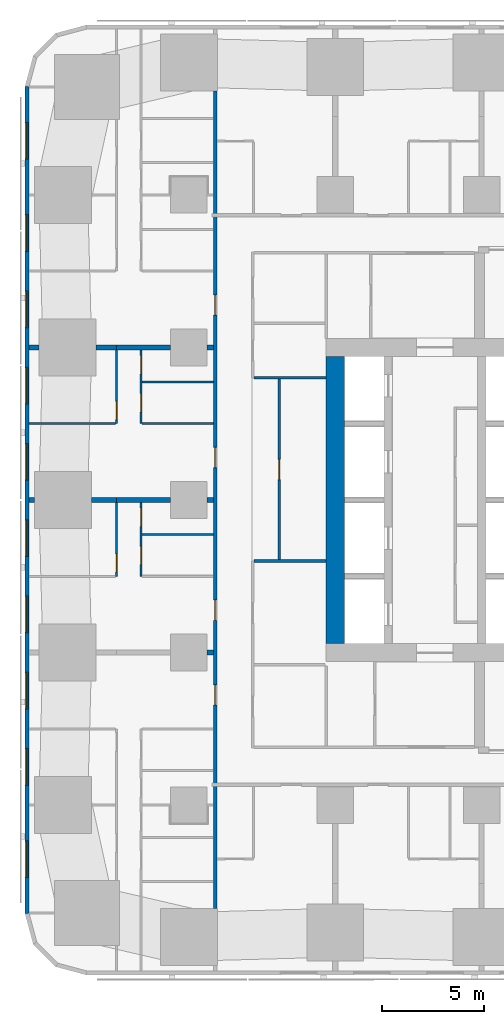
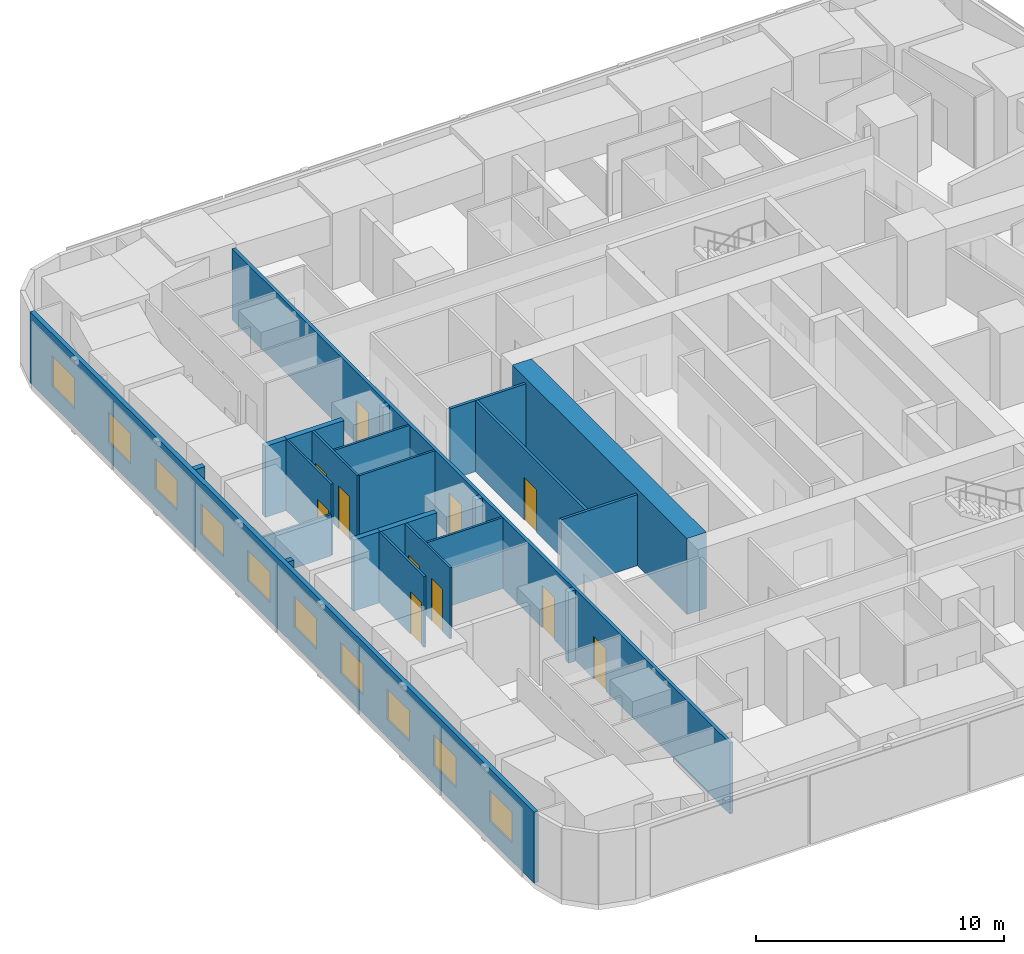
# One storey, part 4 of 15: 23 walls, 11 doors, 10 windows, 21 openings.
"""IFC4 building model written with IfcOpenShell, lengths in metres."""

from ifc_helpers import new_model, si_unit, direction, frame, frame_2d, origin, place, context, subcontext, project, spatial, rectangle, extrude, material, layer, layer_set, type_object, element, fill, save


model = new_model("IFC4")

# Units and contexts
model_context = context("Model", 3, precision=1e-05, world=origin(), true_north=direction((0.0, 1.0)))
body_context = subcontext(model_context, "Body", "Model", "MODEL_VIEW")
ifc_project = project(units=[si_unit("LENGTHUNIT", "METRE"), si_unit("AREAUNIT", "SQUARE_METRE"), si_unit("VOLUMEUNIT", "CUBIC_METRE"), si_unit("PLANEANGLEUNIT", "RADIAN"), si_unit("MASSUNIT", "GRAM", prefix="KILO")], contexts=[model_context])

# Site, building, storey
site_placement = place(None, origin())
site = spatial("IfcSite", under=ifc_project, at=site_placement, CompositionType="ELEMENT")
building_placement = place(site_placement, origin())
building = spatial("IfcBuilding", under=site, at=building_placement, Name="Sheger Commons Tower", CompositionType="ELEMENT")
storey_placement = place(building_placement, frame((0.0, 0.0, 42.5)))
storey = spatial("IfcBuildingStorey", under=building, at=storey_placement, Name="L10", CompositionType="ELEMENT", Elevation=42.5)

# Wall
ifc_material_1 = material(Name="Concrete C50/60", Category="concrete")
ifc_layer_1 = layer(ifc_material_1, 0.89990234375)
ifc_layer_set_1 = layer_set([ifc_layer_1], Name="CORE WALL 900")
wall_type_1 = type_object("IfcWallType", Name="CORE WALL 900", PredefinedType="SHEAR", material=ifc_layer_set_1)
wall_1_placement = place(storey_placement, frame((14.39990234375, 15.449951171875, 0.0), z_axis=(0.0, 0.0, 1.0), x_axis=(0.0, 1.0, 0.0)))
element("IfcWall", 1, at=wall_1_placement, inside=storey, type_object=wall_type_1, Name="Core wall west L10", PredefinedType="SHEAR", context=body_context, shape_type="SweptSolid", body=[
    extrude(rectangle(XDim=14.10009765625, YDim=0.89990234375, at=frame_2d((7.050048828125, 0.0))), origin(), (0.0, 0.0, 1.0), 3.75),
])

# Wall, openings, doors
ifc_material_2 = material(Name="Hollow concrete block masonry, skimmed both sides", Category="masonry")
ifc_layer_2 = layer(ifc_material_2, 0.14990234375)
ifc_layer_set_2 = layer_set([ifc_layer_2], Name="CORRIDOR WALL 150")
wall_type_2 = type_object("IfcWallType", Name="CORRIDOR WALL 150", PredefinedType="SOLIDWALL", material=ifc_layer_set_2)
wall_2_placement = place(storey_placement, frame((8.5, 2.426025390625, 0.0), z_axis=(0.0, 0.0, 1.0), x_axis=(0.0, 1.0, 0.0)))
wall_2 = element("IfcWall", 2, at=wall_2_placement, inside=storey, type_object=wall_type_2, Name="Corridor wall L10", PredefinedType="SOLIDWALL", context=body_context, shape_type="SweptSolid", body=[
    extrude(rectangle(XDim=40.173095703125, YDim=0.14990234375, at=frame_2d((20.08642578125, 0.0))), origin(), (0.0, 0.0, 1.0), 3.5),
])
opening_1_placement = place(wall_2_placement, frame((9.986083984375, 0.0, 0.0)))
opening_1 = element("IfcOpeningElement", 3, at=opening_1_placement, cuts=wall_2, Name="Opening D1", PredefinedType="OPENING", context=body_context, shape_type="SweptSolid", body=[
    extrude(rectangle(XDim=1.0, YDim=2.10009765625, at=frame_2d((0.5, 1.050048828125))), frame((0.0, 0.0849609375, 0.0), z_axis=(0.0, -1.0, 0.0), x_axis=(1.0, 0.0, 0.0)), (0.0, 0.0, 1.0), 0.169921875),
])
opening_2_placement = place(wall_2_placement, frame((14.160888671875, 0.0, 0.0)))
opening_2 = element("IfcOpeningElement", 4, at=opening_2_placement, cuts=wall_2, Name="Opening D1", PredefinedType="OPENING", context=body_context, shape_type="SweptSolid", body=[
    extrude(rectangle(XDim=1.0, YDim=2.10009765625, at=frame_2d((0.5, 1.050048828125))), frame((0.0, 0.0849609375, 0.0), z_axis=(0.0, -1.0, 0.0), x_axis=(1.0, 0.0, 0.0)), (0.0, 0.0, 1.0), 0.169921875),
])
opening_3_placement = place(wall_2_placement, frame((21.662109375, 0.0, 0.0)))
opening_3 = element("IfcOpeningElement", 5, at=opening_3_placement, cuts=wall_2, Name="Opening D1", PredefinedType="OPENING", context=body_context, shape_type="SweptSolid", body=[
    extrude(rectangle(XDim=1.0, YDim=2.10009765625, at=frame_2d((0.5, 1.050048828125))), frame((0.0, 0.0849609375, 0.0), z_axis=(0.0, -1.0, 0.0), x_axis=(1.0, 0.0, 0.0)), (0.0, 0.0, 1.0), 0.169921875),
])
opening_4_placement = place(wall_2_placement, frame((29.160888671875, 0.0, 0.0)))
opening_4 = element("IfcOpeningElement", 6, at=opening_4_placement, cuts=wall_2, Name="Opening D1", PredefinedType="OPENING", context=body_context, shape_type="SweptSolid", body=[
    extrude(rectangle(XDim=1.0, YDim=2.10009765625, at=frame_2d((0.5, 1.050048828125))), frame((0.0, 0.0849609375, 0.0), z_axis=(0.0, -1.0, 0.0), x_axis=(1.0, 0.0, 0.0)), (0.0, 0.0, 1.0), 0.169921875),
])
ifc_material_3 = material(Name="Steel door set, fire rated", Category="steel")
door_type_1 = type_object("IfcDoorType", Name="FLAT ENTRANCE DOOR 1000x2100", OperationType="NOTDEFINED", PredefinedType="DOOR", material=ifc_material_3)
door_1_placement = place(opening_1_placement, origin())
door_1 = element("IfcDoor", 7, at=door_1_placement, inside=storey, type_object=door_type_1, Name="Flat entrance door", OperationType="SINGLE_SWING_LEFT", OverallHeight=2.10009765625, OverallWidth=1.0, PredefinedType="DOOR", context=body_context, shape_type="SweptSolid", body=[
    extrude(rectangle(XDim=1.0, YDim=2.10009765625, at=frame_2d((0.5, 1.050048828125))), frame((0.0, 0.02490234375, 0.0), z_axis=(0.0, -1.0, 0.0), x_axis=(1.0, 0.0, 0.0)), (0.0, 0.0, 1.0), 0.050048828125),
])
fill(opening_1, door_1)
door_2_placement = place(opening_2_placement, origin())
door_2 = element("IfcDoor", 8, at=door_2_placement, inside=storey, type_object=door_type_1, Name="Flat entrance door", OperationType="SINGLE_SWING_RIGHT", OverallHeight=2.10009765625, OverallWidth=1.0, PredefinedType="DOOR", context=body_context, shape_type="SweptSolid", body=[
    extrude(rectangle(XDim=1.0, YDim=2.10009765625, at=frame_2d((0.5, 1.050048828125))), frame((0.0, 0.02490234375, 0.0), z_axis=(0.0, -1.0, 0.0), x_axis=(1.0, 0.0, 0.0)), (0.0, 0.0, 1.0), 0.050048828125),
])
fill(opening_2, door_2)
door_3_placement = place(opening_3_placement, origin())
door_3 = element("IfcDoor", 9, at=door_3_placement, inside=storey, type_object=door_type_1, Name="Flat entrance door", OperationType="SINGLE_SWING_RIGHT", OverallHeight=2.10009765625, OverallWidth=1.0, PredefinedType="DOOR", context=body_context, shape_type="SweptSolid", body=[
    extrude(rectangle(XDim=1.0, YDim=2.10009765625, at=frame_2d((0.5, 1.050048828125))), frame((0.0, 0.02490234375, 0.0), z_axis=(0.0, -1.0, 0.0), x_axis=(1.0, 0.0, 0.0)), (0.0, 0.0, 1.0), 0.050048828125),
])
fill(opening_3, door_3)
door_4_placement = place(opening_4_placement, origin())
door_4 = element("IfcDoor", 10, at=door_4_placement, inside=storey, type_object=door_type_1, Name="Flat entrance door", OperationType="SINGLE_SWING_RIGHT", OverallHeight=2.10009765625, OverallWidth=1.0, PredefinedType="DOOR", context=body_context, shape_type="SweptSolid", body=[
    extrude(rectangle(XDim=1.0, YDim=2.10009765625, at=frame_2d((0.5, 1.050048828125))), frame((0.0, 0.02490234375, 0.0), z_axis=(0.0, -1.0, 0.0), x_axis=(1.0, 0.0, 0.0)), (0.0, 0.0, 1.0), 0.050048828125),
])
fill(opening_4, door_4)

# Walls
ifc_material_4 = material(Name="Dense concrete block masonry, plastered both sides (separating wall between flats)", Category="masonry")
ifc_layer_3 = layer(ifc_material_4, 0.25)
ifc_layer_set_3 = layer_set([ifc_layer_3], Name="DEMISING WALL 250")
wall_type_3 = type_object("IfcWallType", Name="DEMISING WALL 250", PredefinedType="SOLIDWALL", material=ifc_layer_set_3)
wall_3_placement = place(storey_placement, frame((8.10107421875, 15.0, 0.0), z_axis=(0.0, 0.0, 1.0), x_axis=(1.0, 0.0, 0.0)))
element("IfcWall", 11, at=wall_3_placement, inside=storey, type_object=wall_type_3, Name="Demising wall L10", PredefinedType="SOLIDWALL", context=body_context, shape_type="SweptSolid", body=[
    extrude(rectangle(XDim=0.323974609375, YDim=0.25, at=frame_2d((0.162109375, 0.0))), origin(), (0.0, 0.0, 1.0), 3.5),
])
wall_4_placement = place(storey_placement, frame((-0.64990234375, 22.5, 0.0), z_axis=(0.0, 0.0, 1.0), x_axis=(1.0, 0.0, 0.0)))
element("IfcWall", 12, at=wall_4_placement, inside=storey, type_object=wall_type_3, Name="Demising wall L10", PredefinedType="SOLIDWALL", context=body_context, shape_type="SweptSolid", body=[
    extrude(rectangle(XDim=0.27392578125, YDim=0.25, at=frame_2d((0.136962890625, 0.0))), origin(), (0.0, 0.0, 1.0), 3.5),
])
wall_5_placement = place(storey_placement, frame((2.426025390625, 22.5, 0.0), z_axis=(0.0, 0.0, 1.0), x_axis=(1.0, 0.0, 0.0)))
element("IfcWall", 13, at=wall_5_placement, inside=storey, type_object=wall_type_3, Name="Demising wall L10", PredefinedType="SOLIDWALL", context=body_context, shape_type="SweptSolid", body=[
    extrude(rectangle(XDim=1.223876953125, YDim=0.25, at=frame_2d((0.61181640625, 0.0))), origin(), (0.0, 0.0, 1.0), 3.5),
])
wall_6_placement = place(storey_placement, frame((3.64990234375, 22.5, 0.0), z_axis=(0.0, 0.0, 1.0), x_axis=(1.0, 0.0, 0.0)))
element("IfcWall", 14, at=wall_6_placement, inside=storey, type_object=wall_type_3, Name="Demising wall L10", PredefinedType="SOLIDWALL", context=body_context, shape_type="SweptSolid", body=[
    extrude(rectangle(XDim=2.649169921875, YDim=0.25, at=frame_2d((1.32470703125, 0.0))), origin(), (0.0, 0.0, 1.0), 3.5),
])
wall_7_placement = place(storey_placement, frame((8.10107421875, 22.5, 0.0), z_axis=(0.0, 0.0, 1.0), x_axis=(1.0, 0.0, 0.0)))
element("IfcWall", 15, at=wall_7_placement, inside=storey, type_object=wall_type_3, Name="Demising wall L10", PredefinedType="SOLIDWALL", context=body_context, shape_type="SweptSolid", body=[
    extrude(rectangle(XDim=0.323974609375, YDim=0.25, at=frame_2d((0.162109375, 0.0))), origin(), (0.0, 0.0, 1.0), 3.5),
])
wall_8_placement = place(storey_placement, frame((-0.64990234375, 30.0, 0.0), z_axis=(0.0, 0.0, 1.0), x_axis=(1.0, 0.0, 0.0)))
element("IfcWall", 16, at=wall_8_placement, inside=storey, type_object=wall_type_3, Name="Demising wall L10", PredefinedType="SOLIDWALL", context=body_context, shape_type="SweptSolid", body=[
    extrude(rectangle(XDim=0.473876953125, YDim=0.25, at=frame_2d((0.23681640625, 0.0))), origin(), (0.0, 0.0, 1.0), 3.5),
])
wall_9_placement = place(storey_placement, frame((2.6259765625, 30.0, 0.0), z_axis=(0.0, 0.0, 1.0), x_axis=(1.0, 0.0, 0.0)))
element("IfcWall", 17, at=wall_9_placement, inside=storey, type_object=wall_type_3, Name="Demising wall L10", PredefinedType="SOLIDWALL", context=body_context, shape_type="SweptSolid", body=[
    extrude(rectangle(XDim=1.02392578125, YDim=0.25, at=frame_2d((0.511962890625, 0.0))), origin(), (0.0, 0.0, 1.0), 3.5),
])
wall_10_placement = place(storey_placement, frame((3.64990234375, 30.0, 0.0), z_axis=(0.0, 0.0, 1.0), x_axis=(1.0, 0.0, 0.0)))
element("IfcWall", 18, at=wall_10_placement, inside=storey, type_object=wall_type_3, Name="Demising wall L10", PredefinedType="SOLIDWALL", context=body_context, shape_type="SweptSolid", body=[
    extrude(rectangle(XDim=2.649169921875, YDim=0.25, at=frame_2d((1.32470703125, 0.0))), origin(), (0.0, 0.0, 1.0), 3.5),
])
wall_11_placement = place(storey_placement, frame((8.10107421875, 30.0, 0.0), z_axis=(0.0, 0.0, 1.0), x_axis=(1.0, 0.0, 0.0)))
element("IfcWall", 19, at=wall_11_placement, inside=storey, type_object=wall_type_3, Name="Demising wall L10", PredefinedType="SOLIDWALL", context=body_context, shape_type="SweptSolid", body=[
    extrude(rectangle(XDim=0.323974609375, YDim=0.25, at=frame_2d((0.162109375, 0.0))), origin(), (0.0, 0.0, 1.0), 3.5),
])

# Wall, openings, windows
ifc_material_5 = material(Name="Rendered concrete block masonry, dark grey", Category="masonry")
ifc_layer_4 = layer(ifc_material_5, 0.199951171875)
ifc_layer_set_4 = layer_set([ifc_layer_4], Name="FACADE WALL 200")
wall_type_4 = type_object("IfcWallType", Name="FACADE WALL 200", PredefinedType="SOLIDWALL", material=ifc_layer_set_4)
wall_12_placement = place(storey_placement, frame((-0.75, 42.8369140625, 0.0), z_axis=(0.0, 0.0, 1.0), x_axis=(0.0, -1.0, 0.0)))
wall_12 = element("IfcWall", 20, at=wall_12_placement, inside=storey, type_object=wall_type_4, Name="Facade wall L10", PredefinedType="SOLIDWALL", context=body_context, shape_type="SweptSolid", body=[
    extrude(rectangle(XDim=40.673828125, YDim=0.199951171875, at=frame_2d((20.3369140625, 0.0))), origin(), (0.0, 0.0, 1.0), 3.5),
])
opening_5_placement = place(wall_12_placement, frame((1.780029296875, 0.0, 0.89990234375)))
opening_5 = element("IfcOpeningElement", 21, at=opening_5_placement, cuts=wall_12, Name="Opening W2", PredefinedType="OPENING", context=body_context, shape_type="SweptSolid", body=[
    extrude(rectangle(XDim=1.800048828125, YDim=1.5, at=frame_2d((0.89990234375, 0.75))), frame((0.0, 0.10986328125, 0.0), z_axis=(0.0, -1.0, 0.0), x_axis=(1.0, 0.0, 0.0)), (0.0, 0.0, 1.0), 0.219970703125),
])
opening_6_placement = place(wall_12_placement, frame((6.31201171875, 0.0, 0.89990234375)))
opening_6 = element("IfcOpeningElement", 22, at=opening_6_placement, cuts=wall_12, Name="Opening W2", PredefinedType="OPENING", context=body_context, shape_type="SweptSolid", body=[
    extrude(rectangle(XDim=1.800048828125, YDim=1.5, at=frame_2d((0.89990234375, 0.75))), frame((0.0, 0.10986328125, 0.0), z_axis=(0.0, -1.0, 0.0), x_axis=(1.0, 0.0, 0.0)), (0.0, 0.0, 1.0), 0.219970703125),
])
opening_7_placement = place(wall_12_placement, frame((10.06201171875, 0.0, 0.89990234375)))
opening_7 = element("IfcOpeningElement", 23, at=opening_7_placement, cuts=wall_12, Name="Opening W2", PredefinedType="OPENING", context=body_context, shape_type="SweptSolid", body=[
    extrude(rectangle(XDim=1.800048828125, YDim=1.5, at=frame_2d((0.89990234375, 0.75))), frame((0.0, 0.10986328125, 0.0), z_axis=(0.0, -1.0, 0.0), x_axis=(1.0, 0.0, 0.0)), (0.0, 0.0, 1.0), 0.219970703125),
])
opening_8_placement = place(wall_12_placement, frame((13.81201171875, 0.0, 0.89990234375)))
opening_8 = element("IfcOpeningElement", 24, at=opening_8_placement, cuts=wall_12, Name="Opening W2", PredefinedType="OPENING", context=body_context, shape_type="SweptSolid", body=[
    extrude(rectangle(XDim=1.800048828125, YDim=1.5, at=frame_2d((0.89990234375, 0.75))), frame((0.0, 0.10986328125, 0.0), z_axis=(0.0, -1.0, 0.0), x_axis=(1.0, 0.0, 0.0)), (0.0, 0.0, 1.0), 0.219970703125),
])
opening_9_placement = place(wall_12_placement, frame((17.56201171875, 0.0, 0.89990234375)))
opening_9 = element("IfcOpeningElement", 25, at=opening_9_placement, cuts=wall_12, Name="Opening W2", PredefinedType="OPENING", context=body_context, shape_type="SweptSolid", body=[
    extrude(rectangle(XDim=1.800048828125, YDim=1.5, at=frame_2d((0.89990234375, 0.75))), frame((0.0, 0.10986328125, 0.0), z_axis=(0.0, -1.0, 0.0), x_axis=(1.0, 0.0, 0.0)), (0.0, 0.0, 1.0), 0.219970703125),
])
opening_10_placement = place(wall_12_placement, frame((21.31201171875, 0.0, 0.89990234375)))
opening_10 = element("IfcOpeningElement", 26, at=opening_10_placement, cuts=wall_12, Name="Opening W2", PredefinedType="OPENING", context=body_context, shape_type="SweptSolid", body=[
    extrude(rectangle(XDim=1.800048828125, YDim=1.5, at=frame_2d((0.89990234375, 0.75))), frame((0.0, 0.10986328125, 0.0), z_axis=(0.0, -1.0, 0.0), x_axis=(1.0, 0.0, 0.0)), (0.0, 0.0, 1.0), 0.219970703125),
])
opening_11_placement = place(wall_12_placement, frame((25.06201171875, 0.0, 0.89990234375)))
opening_11 = element("IfcOpeningElement", 27, at=opening_11_placement, cuts=wall_12, Name="Opening W2", PredefinedType="OPENING", context=body_context, shape_type="SweptSolid", body=[
    extrude(rectangle(XDim=1.800048828125, YDim=1.5, at=frame_2d((0.89990234375, 0.75))), frame((0.0, 0.10986328125, 0.0), z_axis=(0.0, -1.0, 0.0), x_axis=(1.0, 0.0, 0.0)), (0.0, 0.0, 1.0), 0.219970703125),
])
opening_12_placement = place(wall_12_placement, frame((28.81201171875, 0.0, 0.89990234375)))
opening_12 = element("IfcOpeningElement", 28, at=opening_12_placement, cuts=wall_12, Name="Opening W2", PredefinedType="OPENING", context=body_context, shape_type="SweptSolid", body=[
    extrude(rectangle(XDim=1.800048828125, YDim=1.5, at=frame_2d((0.89990234375, 0.75))), frame((0.0, 0.10986328125, 0.0), z_axis=(0.0, -1.0, 0.0), x_axis=(1.0, 0.0, 0.0)), (0.0, 0.0, 1.0), 0.219970703125),
])
opening_13_placement = place(wall_12_placement, frame((32.56201171875, 0.0, 0.89990234375)))
opening_13 = element("IfcOpeningElement", 29, at=opening_13_placement, cuts=wall_12, Name="Opening W2", PredefinedType="OPENING", context=body_context, shape_type="SweptSolid", body=[
    extrude(rectangle(XDim=1.800048828125, YDim=1.5, at=frame_2d((0.89990234375, 0.75))), frame((0.0, 0.10986328125, 0.0), z_axis=(0.0, -1.0, 0.0), x_axis=(1.0, 0.0, 0.0)), (0.0, 0.0, 1.0), 0.219970703125),
])
opening_14_placement = place(wall_12_placement, frame((37.093994140625, 0.0, 0.89990234375)))
opening_14 = element("IfcOpeningElement", 30, at=opening_14_placement, cuts=wall_12, Name="Opening W2", PredefinedType="OPENING", context=body_context, shape_type="SweptSolid", body=[
    extrude(rectangle(XDim=1.800048828125, YDim=1.5, at=frame_2d((0.89990234375, 0.75))), frame((0.0, 0.10986328125, 0.0), z_axis=(0.0, -1.0, 0.0), x_axis=(1.0, 0.0, 0.0)), (0.0, 0.0, 1.0), 0.219970703125),
])
ifc_material_6 = material(Name="Black aluminium frame, dark tinted double glazing", Category="aluminium")
window_type = type_object("IfcWindowType", Name="WINDOW W2 1800x1500", PartitioningType="SINGLE_PANEL", PredefinedType="WINDOW", material=ifc_material_6)
window_1_placement = place(opening_5_placement, origin())
window_1 = element("IfcWindow", 31, at=window_1_placement, inside=storey, type_object=window_type, Name="Window W2 1800X1500", OverallHeight=1.5, OverallWidth=1.800048828125, PartitioningType="SINGLE_PANEL", PredefinedType="WINDOW", context=body_context, shape_type="SweptSolid", body=[
    extrude(rectangle(XDim=1.800048828125, YDim=1.5, at=frame_2d((0.89990234375, 0.75))), frame((0.0, 0.030029296875, 0.0), z_axis=(0.0, -1.0, 0.0), x_axis=(1.0, 0.0, 0.0)), (0.0, 0.0, 1.0), 0.06005859375),
])
fill(opening_5, window_1)
window_2_placement = place(opening_6_placement, origin())
window_2 = element("IfcWindow", 32, at=window_2_placement, inside=storey, type_object=window_type, Name="Window W2 1800X1500", OverallHeight=1.5, OverallWidth=1.800048828125, PartitioningType="SINGLE_PANEL", PredefinedType="WINDOW", context=body_context, shape_type="SweptSolid", body=[
    extrude(rectangle(XDim=1.800048828125, YDim=1.5, at=frame_2d((0.89990234375, 0.75))), frame((0.0, 0.030029296875, 0.0), z_axis=(0.0, -1.0, 0.0), x_axis=(1.0, 0.0, 0.0)), (0.0, 0.0, 1.0), 0.06005859375),
])
fill(opening_6, window_2)
window_3_placement = place(opening_7_placement, origin())
window_3 = element("IfcWindow", 33, at=window_3_placement, inside=storey, type_object=window_type, Name="Window W2 1800X1500", OverallHeight=1.5, OverallWidth=1.800048828125, PartitioningType="SINGLE_PANEL", PredefinedType="WINDOW", context=body_context, shape_type="SweptSolid", body=[
    extrude(rectangle(XDim=1.800048828125, YDim=1.5, at=frame_2d((0.89990234375, 0.75))), frame((0.0, 0.030029296875, 0.0), z_axis=(0.0, -1.0, 0.0), x_axis=(1.0, 0.0, 0.0)), (0.0, 0.0, 1.0), 0.06005859375),
])
fill(opening_7, window_3)
window_4_placement = place(opening_8_placement, origin())
window_4 = element("IfcWindow", 34, at=window_4_placement, inside=storey, type_object=window_type, Name="Window W2 1800X1500", OverallHeight=1.5, OverallWidth=1.800048828125, PartitioningType="SINGLE_PANEL", PredefinedType="WINDOW", context=body_context, shape_type="SweptSolid", body=[
    extrude(rectangle(XDim=1.800048828125, YDim=1.5, at=frame_2d((0.89990234375, 0.75))), frame((0.0, 0.030029296875, 0.0), z_axis=(0.0, -1.0, 0.0), x_axis=(1.0, 0.0, 0.0)), (0.0, 0.0, 1.0), 0.06005859375),
])
fill(opening_8, window_4)
window_5_placement = place(opening_9_placement, origin())
window_5 = element("IfcWindow", 35, at=window_5_placement, inside=storey, type_object=window_type, Name="Window W2 1800X1500", OverallHeight=1.5, OverallWidth=1.800048828125, PartitioningType="SINGLE_PANEL", PredefinedType="WINDOW", context=body_context, shape_type="SweptSolid", body=[
    extrude(rectangle(XDim=1.800048828125, YDim=1.5, at=frame_2d((0.89990234375, 0.75))), frame((0.0, 0.030029296875, 0.0), z_axis=(0.0, -1.0, 0.0), x_axis=(1.0, 0.0, 0.0)), (0.0, 0.0, 1.0), 0.06005859375),
])
fill(opening_9, window_5)
window_6_placement = place(opening_10_placement, origin())
window_6 = element("IfcWindow", 36, at=window_6_placement, inside=storey, type_object=window_type, Name="Window W2 1800X1500", OverallHeight=1.5, OverallWidth=1.800048828125, PartitioningType="SINGLE_PANEL", PredefinedType="WINDOW", context=body_context, shape_type="SweptSolid", body=[
    extrude(rectangle(XDim=1.800048828125, YDim=1.5, at=frame_2d((0.89990234375, 0.75))), frame((0.0, 0.030029296875, 0.0), z_axis=(0.0, -1.0, 0.0), x_axis=(1.0, 0.0, 0.0)), (0.0, 0.0, 1.0), 0.06005859375),
])
fill(opening_10, window_6)
window_7_placement = place(opening_11_placement, origin())
window_7 = element("IfcWindow", 37, at=window_7_placement, inside=storey, type_object=window_type, Name="Window W2 1800X1500", OverallHeight=1.5, OverallWidth=1.800048828125, PartitioningType="SINGLE_PANEL", PredefinedType="WINDOW", context=body_context, shape_type="SweptSolid", body=[
    extrude(rectangle(XDim=1.800048828125, YDim=1.5, at=frame_2d((0.89990234375, 0.75))), frame((0.0, 0.030029296875, 0.0), z_axis=(0.0, -1.0, 0.0), x_axis=(1.0, 0.0, 0.0)), (0.0, 0.0, 1.0), 0.06005859375),
])
fill(opening_11, window_7)
window_8_placement = place(opening_12_placement, origin())
window_8 = element("IfcWindow", 38, at=window_8_placement, inside=storey, type_object=window_type, Name="Window W2 1800X1500", OverallHeight=1.5, OverallWidth=1.800048828125, PartitioningType="SINGLE_PANEL", PredefinedType="WINDOW", context=body_context, shape_type="SweptSolid", body=[
    extrude(rectangle(XDim=1.800048828125, YDim=1.5, at=frame_2d((0.89990234375, 0.75))), frame((0.0, 0.030029296875, 0.0), z_axis=(0.0, -1.0, 0.0), x_axis=(1.0, 0.0, 0.0)), (0.0, 0.0, 1.0), 0.06005859375),
])
fill(opening_12, window_8)
window_9_placement = place(opening_13_placement, origin())
window_9 = element("IfcWindow", 39, at=window_9_placement, inside=storey, type_object=window_type, Name="Window W2 1800X1500", OverallHeight=1.5, OverallWidth=1.800048828125, PartitioningType="SINGLE_PANEL", PredefinedType="WINDOW", context=body_context, shape_type="SweptSolid", body=[
    extrude(rectangle(XDim=1.800048828125, YDim=1.5, at=frame_2d((0.89990234375, 0.75))), frame((0.0, 0.030029296875, 0.0), z_axis=(0.0, -1.0, 0.0), x_axis=(1.0, 0.0, 0.0)), (0.0, 0.0, 1.0), 0.06005859375),
])
fill(opening_13, window_9)
window_10_placement = place(opening_14_placement, origin())
window_10 = element("IfcWindow", 40, at=window_10_placement, inside=storey, type_object=window_type, Name="Window W2 1800X1500", OverallHeight=1.5, OverallWidth=1.800048828125, PartitioningType="SINGLE_PANEL", PredefinedType="WINDOW", context=body_context, shape_type="SweptSolid", body=[
    extrude(rectangle(XDim=1.800048828125, YDim=1.5, at=frame_2d((0.89990234375, 0.75))), frame((0.0, 0.030029296875, 0.0), z_axis=(0.0, -1.0, 0.0), x_axis=(1.0, 0.0, 0.0)), (0.0, 0.0, 1.0), 0.06005859375),
])
fill(opening_14, window_10)

# Wall, opening, door
ifc_material_7 = material(Name="Gypsum board on steel studs", Category="steel")
ifc_layer_5 = layer(ifc_material_7, 0.10009765625)
ifc_layer_set_5 = layer_set([ifc_layer_5], Name="PARTITION 100")
wall_type_5 = type_object("IfcWallType", Name="PARTITION 100", PredefinedType="PARTITIONING", material=ifc_layer_set_5)
wall_13_placement = place(storey_placement, frame((3.64990234375, 18.75, 0.0), z_axis=(0.0, 0.0, 1.0), x_axis=(0.0, 1.0, 0.0)))
wall_13 = element("IfcWall", 41, at=wall_13_placement, inside=storey, type_object=wall_type_5, Name="Partition L10", PredefinedType="PARTITIONING", context=body_context, shape_type="SweptSolid", body=[
    extrude(rectangle(XDim=3.625, YDim=0.10009765625, at=frame_2d((1.8125, 0.0))), origin(), (0.0, 0.0, 1.0), 3.5),
])
opening_15_placement = place(wall_13_placement, frame((0.199951171875, 0.0, 0.0)))
opening_15 = element("IfcOpeningElement", 42, at=opening_15_placement, cuts=wall_13, Name="Opening D2", PredefinedType="OPENING", context=body_context, shape_type="SweptSolid", body=[
    extrude(rectangle(XDim=0.89990234375, YDim=2.10009765625, at=frame_2d((0.449951171875, 1.050048828125))), frame((0.0, 0.06005859375, 0.0), z_axis=(0.0, -1.0, 0.0), x_axis=(1.0, 0.0, 0.0)), (0.0, 0.0, 1.0), 0.1201171875),
])
ifc_material_8 = material(Name="Timber door set", Category="wood")
door_type_2 = type_object("IfcDoorType", Name="INTERNAL DOOR 900x2100", OperationType="NOTDEFINED", PredefinedType="DOOR", material=ifc_material_8)
door_5_placement = place(opening_15_placement, origin())
door_5 = element("IfcDoor", 43, at=door_5_placement, inside=storey, type_object=door_type_2, Name="Main bedroom door", OperationType="SINGLE_SWING_LEFT", OverallHeight=2.10009765625, OverallWidth=0.89990234375, PredefinedType="DOOR", context=body_context, shape_type="SweptSolid", body=[
    extrude(rectangle(XDim=0.89990234375, YDim=2.10009765625, at=frame_2d((0.449951171875, 1.050048828125))), frame((0.0, 0.02490234375, 0.0), z_axis=(0.0, -1.0, 0.0), x_axis=(1.0, 0.0, 0.0)), (0.0, 0.0, 1.0), 0.050048828125),
])
fill(opening_15, door_5)

# Wall, openings, doors
wall_14_placement = place(storey_placement, frame((4.85009765625, 18.75, 0.0), z_axis=(0.0, 0.0, 1.0), x_axis=(0.0, 1.0, 0.0)))
wall_14 = element("IfcWall", 44, at=wall_14_placement, inside=storey, type_object=wall_type_5, Name="Partition L10", PredefinedType="PARTITIONING", context=body_context, shape_type="SweptSolid", body=[
    extrude(rectangle(XDim=3.625, YDim=0.10009765625, at=frame_2d((1.8125, 0.0))), origin(), (0.0, 0.0, 1.0), 3.5),
])
opening_16_placement = place(wall_14_placement, frame((0.574951171875, 0.0, 0.0)))
opening_16 = element("IfcOpeningElement", 45, at=opening_16_placement, cuts=wall_14, Name="Opening D2", PredefinedType="OPENING", context=body_context, shape_type="SweptSolid", body=[
    extrude(rectangle(XDim=0.89990234375, YDim=2.10009765625, at=frame_2d((0.449951171875, 1.050048828125))), frame((0.0, 0.06005859375, 0.0), z_axis=(0.0, -1.0, 0.0), x_axis=(1.0, 0.0, 0.0)), (0.0, 0.0, 1.0), 0.1201171875),
])
opening_17_placement = place(wall_14_placement, frame((2.449951171875, 0.0, 0.0)))
opening_17 = element("IfcOpeningElement", 46, at=opening_17_placement, cuts=wall_14, Name="Opening D2", PredefinedType="OPENING", context=body_context, shape_type="SweptSolid", body=[
    extrude(rectangle(XDim=0.89990234375, YDim=2.10009765625, at=frame_2d((0.449951171875, 1.050048828125))), frame((0.0, 0.06005859375, 0.0), z_axis=(0.0, -1.0, 0.0), x_axis=(1.0, 0.0, 0.0)), (0.0, 0.0, 1.0), 0.1201171875),
])
door_6_placement = place(opening_16_placement, origin())
door_6 = element("IfcDoor", 47, at=door_6_placement, inside=storey, type_object=door_type_2, Name="Bathroom door", OperationType="SINGLE_SWING_RIGHT", OverallHeight=2.10009765625, OverallWidth=0.89990234375, PredefinedType="DOOR", context=body_context, shape_type="SweptSolid", body=[
    extrude(rectangle(XDim=0.89990234375, YDim=2.10009765625, at=frame_2d((0.449951171875, 1.050048828125))), frame((0.0, 0.02490234375, 0.0), z_axis=(0.0, -1.0, 0.0), x_axis=(1.0, 0.0, 0.0)), (0.0, 0.0, 1.0), 0.050048828125),
])
fill(opening_16, door_6)
door_7_placement = place(opening_17_placement, origin())
door_7 = element("IfcDoor", 48, at=door_7_placement, inside=storey, type_object=door_type_2, Name="Store door", OperationType="SINGLE_SWING_LEFT", OverallHeight=2.10009765625, OverallWidth=0.89990234375, PredefinedType="DOOR", context=body_context, shape_type="SweptSolid", body=[
    extrude(rectangle(XDim=0.89990234375, YDim=2.10009765625, at=frame_2d((0.449951171875, 1.050048828125))), frame((0.0, 0.02490234375, 0.0), z_axis=(0.0, -1.0, 0.0), x_axis=(1.0, 0.0, 0.0)), (0.0, 0.0, 1.0), 0.050048828125),
])
fill(opening_17, door_7)

# Wall
wall_15_placement = place(storey_placement, frame((4.89990234375, 20.800048828125, 0.0), z_axis=(0.0, 0.0, 1.0), x_axis=(1.0, 0.0, 0.0)))
element("IfcWall", 49, at=wall_15_placement, inside=storey, type_object=wall_type_5, Name="Partition L10", PredefinedType="PARTITIONING", context=body_context, shape_type="SweptSolid", body=[
    extrude(rectangle(XDim=3.525146484375, YDim=0.10009765625, at=frame_2d((1.7626953125, 0.0))), origin(), (0.0, 0.0, 1.0), 3.5),
])

# Wall, opening, door
wall_16_placement = place(storey_placement, frame((3.64990234375, 26.25, 0.0), z_axis=(0.0, 0.0, 1.0), x_axis=(0.0, 1.0, 0.0)))
wall_16 = element("IfcWall", 50, at=wall_16_placement, inside=storey, type_object=wall_type_5, Name="Partition L10", PredefinedType="PARTITIONING", context=body_context, shape_type="SweptSolid", body=[
    extrude(rectangle(XDim=3.625, YDim=0.10009765625, at=frame_2d((1.8125, 0.0))), origin(), (0.0, 0.0, 1.0), 3.5),
])
opening_18_placement = place(wall_16_placement, frame((0.199951171875, 0.0, 0.0)))
opening_18 = element("IfcOpeningElement", 51, at=opening_18_placement, cuts=wall_16, Name="Opening D2", PredefinedType="OPENING", context=body_context, shape_type="SweptSolid", body=[
    extrude(rectangle(XDim=0.89990234375, YDim=2.10009765625, at=frame_2d((0.449951171875, 1.050048828125))), frame((0.0, 0.06005859375, 0.0), z_axis=(0.0, -1.0, 0.0), x_axis=(1.0, 0.0, 0.0)), (0.0, 0.0, 1.0), 0.1201171875),
])
door_8_placement = place(opening_18_placement, origin())
door_8 = element("IfcDoor", 52, at=door_8_placement, inside=storey, type_object=door_type_2, Name="Main bedroom door", OperationType="SINGLE_SWING_LEFT", OverallHeight=2.10009765625, OverallWidth=0.89990234375, PredefinedType="DOOR", context=body_context, shape_type="SweptSolid", body=[
    extrude(rectangle(XDim=0.89990234375, YDim=2.10009765625, at=frame_2d((0.449951171875, 1.050048828125))), frame((0.0, 0.02490234375, 0.0), z_axis=(0.0, -1.0, 0.0), x_axis=(1.0, 0.0, 0.0)), (0.0, 0.0, 1.0), 0.050048828125),
])
fill(opening_18, door_8)

# Wall, openings, doors
wall_17_placement = place(storey_placement, frame((4.85009765625, 26.25, 0.0), z_axis=(0.0, 0.0, 1.0), x_axis=(0.0, 1.0, 0.0)))
wall_17 = element("IfcWall", 53, at=wall_17_placement, inside=storey, type_object=wall_type_5, Name="Partition L10", PredefinedType="PARTITIONING", context=body_context, shape_type="SweptSolid", body=[
    extrude(rectangle(XDim=3.625, YDim=0.10009765625, at=frame_2d((1.8125, 0.0))), origin(), (0.0, 0.0, 1.0), 3.5),
])
opening_19_placement = place(wall_17_placement, frame((0.574951171875, 0.0, 0.0)))
opening_19 = element("IfcOpeningElement", 54, at=opening_19_placement, cuts=wall_17, Name="Opening D2", PredefinedType="OPENING", context=body_context, shape_type="SweptSolid", body=[
    extrude(rectangle(XDim=0.89990234375, YDim=2.10009765625, at=frame_2d((0.449951171875, 1.050048828125))), frame((0.0, 0.06005859375, 0.0), z_axis=(0.0, -1.0, 0.0), x_axis=(1.0, 0.0, 0.0)), (0.0, 0.0, 1.0), 0.1201171875),
])
opening_20_placement = place(wall_17_placement, frame((2.449951171875, 0.0, 0.0)))
opening_20 = element("IfcOpeningElement", 55, at=opening_20_placement, cuts=wall_17, Name="Opening D2", PredefinedType="OPENING", context=body_context, shape_type="SweptSolid", body=[
    extrude(rectangle(XDim=0.89990234375, YDim=2.10009765625, at=frame_2d((0.449951171875, 1.050048828125))), frame((0.0, 0.06005859375, 0.0), z_axis=(0.0, -1.0, 0.0), x_axis=(1.0, 0.0, 0.0)), (0.0, 0.0, 1.0), 0.1201171875),
])
door_9_placement = place(opening_19_placement, origin())
door_9 = element("IfcDoor", 56, at=door_9_placement, inside=storey, type_object=door_type_2, Name="Bathroom door", OperationType="SINGLE_SWING_RIGHT", OverallHeight=2.10009765625, OverallWidth=0.89990234375, PredefinedType="DOOR", context=body_context, shape_type="SweptSolid", body=[
    extrude(rectangle(XDim=0.89990234375, YDim=2.10009765625, at=frame_2d((0.449951171875, 1.050048828125))), frame((0.0, 0.02490234375, 0.0), z_axis=(0.0, -1.0, 0.0), x_axis=(1.0, 0.0, 0.0)), (0.0, 0.0, 1.0), 0.050048828125),
])
fill(opening_19, door_9)
door_10_placement = place(opening_20_placement, origin())
door_10 = element("IfcDoor", 57, at=door_10_placement, inside=storey, type_object=door_type_2, Name="Store door", OperationType="SINGLE_SWING_LEFT", OverallHeight=2.10009765625, OverallWidth=0.89990234375, PredefinedType="DOOR", context=body_context, shape_type="SweptSolid", body=[
    extrude(rectangle(XDim=0.89990234375, YDim=2.10009765625, at=frame_2d((0.449951171875, 1.050048828125))), frame((0.0, 0.02490234375, 0.0), z_axis=(0.0, -1.0, 0.0), x_axis=(1.0, 0.0, 0.0)), (0.0, 0.0, 1.0), 0.050048828125),
])
fill(opening_20, door_10)

# Walls
wall_18_placement = place(storey_placement, frame((-0.64990234375, 26.25, 0.0), z_axis=(0.0, 0.0, 1.0), x_axis=(1.0, 0.0, 0.0)))
element("IfcWall", 58, at=wall_18_placement, inside=storey, type_object=wall_type_5, Name="Partition L10", PredefinedType="PARTITIONING", context=body_context, shape_type="SweptSolid", body=[
    extrude(rectangle(XDim=4.25, YDim=0.10009765625, at=frame_2d((2.125, 0.0))), origin(), (0.0, 0.0, 1.0), 2.050048828125),
])
for number, where, z_axis, x_axis, name in (
    (59, (4.89990234375, 26.25, 0.0), (0.0, 0.0, 1.0), (1.0, 0.0, 0.0), "Partition L10"),
    (60, (4.89990234375, 28.300048828125, 0.0), (0.0, 0.0, 1.0), (1.0, 0.0, 0.0), "Partition L10"),
):
    element("IfcWall", number, at=place(storey_placement, frame(where, z_axis=z_axis, x_axis=x_axis)), inside=storey, type_object=wall_type_5, Name=name, PredefinedType="PARTITIONING", context=body_context, shape_type="SweptSolid", body=[
        extrude(rectangle(XDim=3.525146484375, YDim=0.10009765625, at=frame_2d((1.7626953125, 0.0))), origin(), (0.0, 0.0, 1.0), 3.5),
    ])

# Wall, opening, door
ifc_material_9 = material(Name="Gypsum board on steel studs, two layers each side, fire rated", Category="steel")
ifc_layer_6 = layer(ifc_material_9, 0.125)
ifc_layer_set_6 = layer_set([ifc_layer_6], Name="SERVICE WALL 125")
wall_type_6 = type_object("IfcWallType", Name="SERVICE WALL 125", PredefinedType="PARTITIONING", material=ifc_layer_set_6)
wall_19_placement = place(storey_placement, frame((11.64990234375, 19.56201171875, 0.0), z_axis=(0.0, 0.0, 1.0), x_axis=(0.0, 1.0, 0.0)))
wall_19 = element("IfcWall", 61, at=wall_19_placement, inside=storey, type_object=wall_type_6, Name="Service room wall L10", PredefinedType="PARTITIONING", context=body_context, shape_type="SweptSolid", body=[
    extrude(rectangle(XDim=8.8759765625, YDim=0.125, at=frame_2d((4.43798828125, 0.0))), origin(), (0.0, 0.0, 1.0), 3.5),
])
opening_21_placement = place(wall_19_placement, frame((3.93798828125, 0.0, 0.0)))
opening_21 = element("IfcOpeningElement", 62, at=opening_21_placement, cuts=wall_19, Name="Opening D4", PredefinedType="OPENING", context=body_context, shape_type="SweptSolid", body=[
    extrude(rectangle(XDim=1.0, YDim=2.10009765625, at=frame_2d((0.5, 1.050048828125))), frame((0.0, 0.072509765625, 0.0), z_axis=(0.0, -1.0, 0.0), x_axis=(1.0, 0.0, 0.0)), (0.0, 0.0, 1.0), 0.14501953125),
])
ifc_material_10 = material(Name="Steel door set, fire rated", Category="steel")
door_type_3 = type_object("IfcDoorType", Name="SERVICE DOOR 1000x2100", OperationType="NOTDEFINED", PredefinedType="DOOR", material=ifc_material_10)
door_11_placement = place(opening_21_placement, origin())
door_11 = element("IfcDoor", 63, at=door_11_placement, inside=storey, type_object=door_type_3, Name="Residents' hobby room door", OperationType="SINGLE_SWING_LEFT", OverallHeight=2.10009765625, OverallWidth=1.0, PredefinedType="DOOR", context=body_context, shape_type="SweptSolid", body=[
    extrude(rectangle(XDim=1.0, YDim=2.10009765625, at=frame_2d((0.5, 1.050048828125))), frame((0.0, 0.02490234375, 0.0), z_axis=(0.0, -1.0, 0.0), x_axis=(1.0, 0.0, 0.0)), (0.0, 0.0, 1.0), 0.050048828125),
])
fill(opening_21, door_11)

# Walls
for number, where, z_axis, x_axis, name in (
    (64, (10.4130859375, 19.5, 0.0), (0.0, 0.0, 1.0), (1.0, 0.0, 0.0), "Service room wall L10"),
    (65, (10.4130859375, 28.5, 0.0), (0.0, 0.0, 1.0), (1.0, 0.0, 0.0), "Service room wall L10"),
):
    element("IfcWall", number, at=place(storey_placement, frame(where, z_axis=z_axis, x_axis=x_axis)), inside=storey, type_object=wall_type_6, Name=name, PredefinedType="PARTITIONING", context=body_context, shape_type="SweptSolid", body=[
        extrude(rectangle(XDim=3.536865234375, YDim=0.125, at=frame_2d((1.7685546875, 0.0))), origin(), (0.0, 0.0, 1.0), 3.5),
    ])

save(model, "model.ifc")
